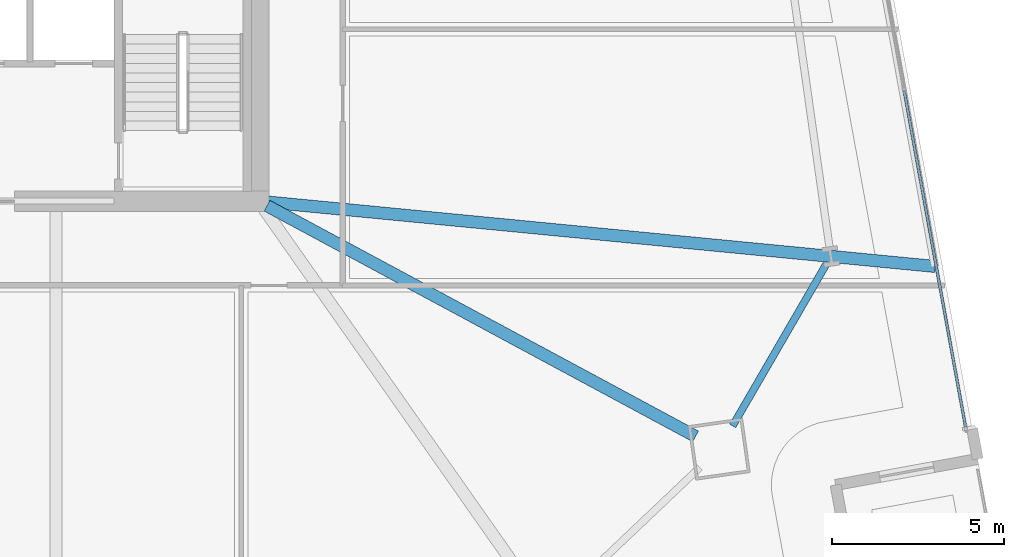
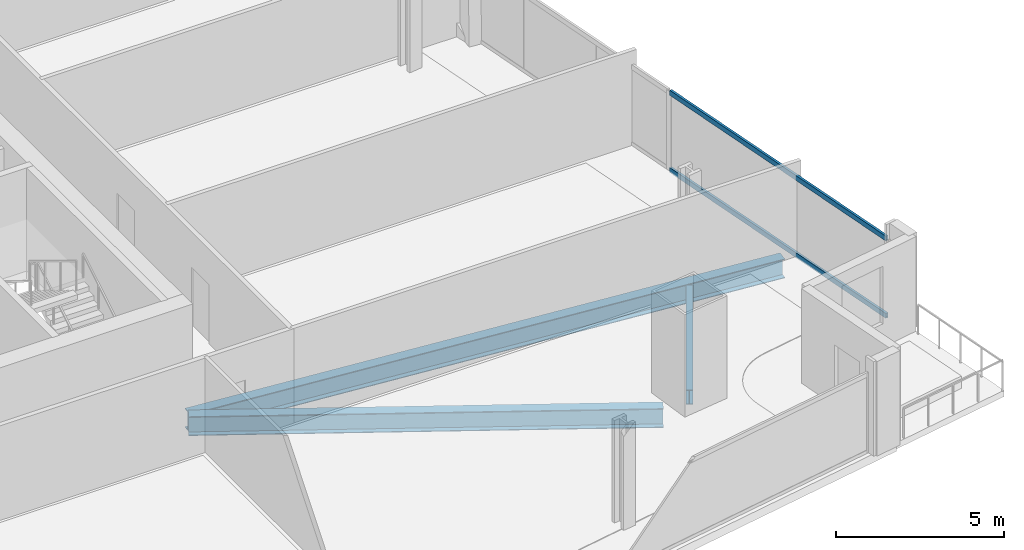
# One storey, part 12 of 34: 3 beams, 2 members, 1 element without a shape of its own.
"""IFC4 building model written with IfcOpenShell, lengths in metres."""

from ifc_helpers import new_model, si_unit, direction, frame, origin, origin_2d, place, context, subcontext, project, spatial, hollow_rectangle, i_section, extrude, material, material_profile, profile_set, type_object, element, aggregate, save


model = new_model("IFC4")

# Units and contexts
model_context = context("Model", 3, precision=1e-05, world=origin(), true_north=direction((0.0, 1.0)))
body_context = subcontext(model_context, "Body", "Model", "MODEL_VIEW")
ifc_project = project(units=[si_unit("LENGTHUNIT", "METRE"), si_unit("AREAUNIT", "SQUARE_METRE"), si_unit("VOLUMEUNIT", "CUBIC_METRE"), si_unit("PLANEANGLEUNIT", "RADIAN"), si_unit("MASSUNIT", "GRAM", prefix="KILO")], contexts=[model_context])

# Site, building, storey
site_placement = place(None, origin())
site = spatial("IfcSite", under=ifc_project, at=site_placement, CompositionType="ELEMENT")
building_placement = place(site_placement, origin())
building = spatial("IfcBuilding", under=site, at=building_placement, Name="Haldenkirk Collegiate Tower", CompositionType="ELEMENT")
storey_placement = place(building_placement, frame((0.0, 0.0, 62.699951171875)))
storey = spatial("IfcBuildingStorey", under=building, at=storey_placement, Name="L14", CompositionType="ELEMENT", Elevation=62.699951171875)

# Beams
ifc_material_1 = material(Name="Steel ASTM A992 Grade 50", Category="steel")
ifc_material_profile_1 = material_profile(ifc_material_1, i_section(OverallWidth=0.35498046875, OverallDepth=0.696044921875, WebThickness=0.015380859375, FlangeThickness=0.02490234375, at=origin_2d()), Name="W27X146")
ifc_profile_set_1 = profile_set([ifc_material_profile_1], Name="Steel ASTM A992 Grade 50")
beam_type_1 = type_object("IfcBeamType", Name="BM-GIRDER-W27X146", PredefinedType="BEAM", material=ifc_profile_set_1)
beam_1_placement = place(storey_placement, frame((57.71435546875, 11.15673828125, -0.657958984375), z_axis=(-0.880558564783, 0.473937352386, 0.0), x_axis=(-0.473937352386, -0.880558564783, 0.0)))
element("IfcBeam", 1, at=beam_1_placement, inside=storey, type_object=beam_type_1, Name="L14 primary floor girder 02", PredefinedType="BEAM", context=body_context, shape_type="SweptSolid", body=[
    extrude(i_section(OverallWidth=0.35498046875, OverallDepth=0.696044921875, WebThickness=0.015380859375, FlangeThickness=0.02490234375, at=origin_2d()), origin(), (0.0, 0.0, 1.0), 14.158935546875),
])
beam_2_placement = place(storey_placement, frame((64.675048828125, 16.100830078125, -0.657958984375), z_axis=(-0.995373311133, 0.096083148805, 0.0), x_axis=(-0.096083148805, -0.995373311133, 0.0)))
element("IfcBeam", 2, at=beam_2_placement, inside=storey, type_object=beam_type_1, Name="L14 primary floor girder 08", PredefinedType="BEAM", context=body_context, shape_type="SweptSolid", body=[
    extrude(i_section(OverallWidth=0.35498046875, OverallDepth=0.696044921875, WebThickness=0.015380859375, FlangeThickness=0.02490234375, at=origin_2d()), origin(), (0.0, 0.0, 1.0), 19.486328125),
])
ifc_material_profile_2 = material_profile(ifc_material_1, i_section(OverallWidth=0.2119140625, OverallDepth=0.5439453125, WebThickness=0.01318359375, FlangeThickness=0.021240234375, at=origin_2d()), Name="W21X83")
ifc_profile_set_2 = profile_set([ifc_material_profile_2], Name="Steel ASTM A992 Grade 50")
beam_type_2 = type_object("IfcBeamType", Name="BM-SPANDREL-W21X83", PredefinedType="SPANDREL", material=ifc_profile_set_2)
beam_3_placement = place(storey_placement, frame((58.7919921875, 11.462158203125, -0.58203125), z_axis=(0.50120629055, 0.865327830543, 0.0), x_axis=(-0.865327830543, 0.50120629055, 0.0)))
element("IfcBeam", 3, at=beam_3_placement, inside=storey, type_object=beam_type_2, Name="L14 perimeter spandrel beam 05", PredefinedType="SPANDREL", context=body_context, shape_type="SweptSolid", body=[
    extrude(i_section(OverallWidth=0.2119140625, OverallDepth=0.5439453125, WebThickness=0.01318359375, FlangeThickness=0.021240234375, at=origin_2d()), origin(), (0.0, 0.0, 1.0), 5.43359375),
])

# Curtain wall, members
ifc_material_2 = material(Name="Anodised architectural bronze aluminium", Category="aluminium")
curtain_wall_type = type_object("IfcCurtainWallType", Name="CW-SYS1-CONVEX-LOW", PredefinedType="USERDEFINED", material=ifc_material_2)
curtain_wall_placement = place(storey_placement, origin())
curtain_wall = element("IfcCurtainWall", 4, at=curtain_wall_placement, inside=storey, type_object=curtain_wall_type, Name="L14 Lower tower convex bronze-framed unitised curtain wall", ObjectType="UNITISED CURTAIN WALL", PredefinedType="USERDEFINED")
ifc_material_profile_3 = material_profile(ifc_material_2, hollow_rectangle(XDim=0.080078125, YDim=0.179931640625, WallThickness=0.0048828125, at=origin_2d()), Name="CW-TRN-1A")
ifc_profile_set_3 = profile_set([ifc_material_profile_3], Name="Anodised architectural bronze aluminium")
member_type = type_object("IfcMemberType", Name="CW-TRN-1A", PredefinedType="USERDEFINED", material=ifc_profile_set_3)
member_1_placement = place(storey_placement, frame((63.78125, 21.21728515625, 0.0400390625), z_axis=(0.179680075224, -0.983725099084, 0.0), x_axis=(0.983725099084, 0.179680075224, 0.0)))
member_1 = element("IfcMember", 5, at=member_1_placement, type_object=member_type, Name="CW-1A transom 4.1", ObjectType="TRANSOM", PredefinedType="USERDEFINED", context=body_context, shape_type="SweptSolid", body=[
    extrude(hollow_rectangle(XDim=0.080078125, YDim=0.179931640625, WallThickness=0.0048828125, at=origin_2d()), origin(), (0.0, 0.0, 1.0), 9.94873046875),
])
member_2_placement = place(storey_placement, frame((63.78125, 21.21728515625, 2.85107421875), z_axis=(0.179680075224, -0.983725099084, 0.0), x_axis=(0.983725099084, 0.179680075224, 0.0)))
member_2 = element("IfcMember", 6, at=member_2_placement, type_object=member_type, Name="CW-1A transom 4.2", ObjectType="TRANSOM", PredefinedType="USERDEFINED", context=body_context, shape_type="SweptSolid", body=[
    extrude(hollow_rectangle(XDim=0.080078125, YDim=0.179931640625, WallThickness=0.0048828125, at=origin_2d()), origin(), (0.0, 0.0, 1.0), 9.94873046875),
])
aggregate(curtain_wall, [member_1, member_2])

save(model, "model.ifc")
